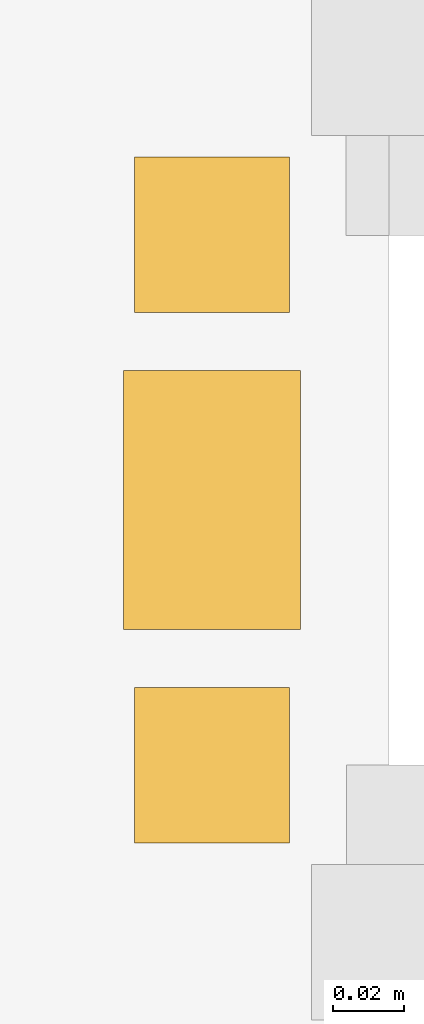
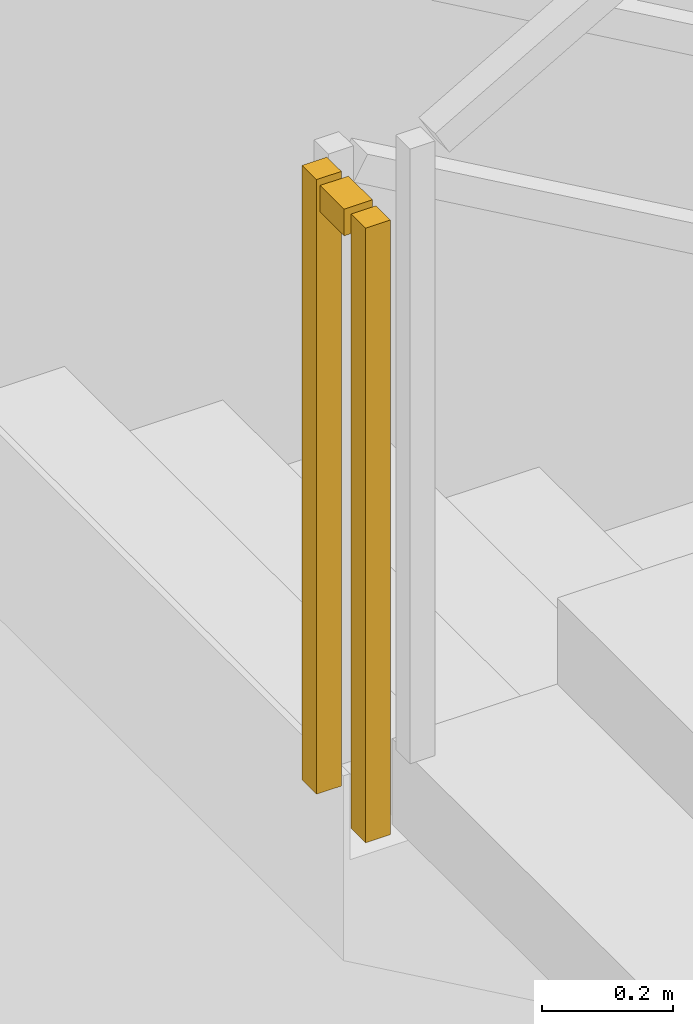
# One storey, part 10 of 18: 1 railing.
"""IFC4 building model written with IfcOpenShell, lengths in metres."""

from ifc_helpers import new_model, si_unit, direction, frame, origin, origin_2d, place, context, subcontext, project, spatial, rectangle, extrude, material, type_object, element, save


model = new_model("IFC4")

# Units and contexts
model_context = context("Model", 3, precision=1e-05, world=origin(), true_north=direction((0.0, 1.0)))
body_context = subcontext(model_context, "Body", "Model", "MODEL_VIEW")
ifc_project = project(units=[si_unit("LENGTHUNIT", "METRE"), si_unit("AREAUNIT", "SQUARE_METRE"), si_unit("VOLUMEUNIT", "CUBIC_METRE"), si_unit("PLANEANGLEUNIT", "RADIAN"), si_unit("MASSUNIT", "GRAM", prefix="KILO")], contexts=[model_context])

# Site, building, storey
site_placement = place(None, origin())
site = spatial("IfcSite", under=ifc_project, at=site_placement, CompositionType="ELEMENT")
building_placement = place(site_placement, origin())
building = spatial("IfcBuilding", under=site, at=building_placement, Name="Yunling Apex Tower", CompositionType="ELEMENT")
storey_placement = place(building_placement, origin())
storey = spatial("IfcBuildingStorey", under=building, at=storey_placement, Name="L01", CompositionType="ELEMENT", Elevation=0.0)

# Railing
ifc_material = material(Name="Steel Q355B", Category="steel")
railing_type = type_object("IfcRailingType", Name="RL-GRD-1150", PredefinedType="GUARDRAIL", material=ifc_material)
railing_placement = place(storey_placement, frame((-3.699951171875, -3.5, 2.25)))
element("IfcRailing", 1, at=railing_placement, inside=storey, type_object=railing_type, Name="L01 ST-2 stair guard 2", PredefinedType="GUARDRAIL", context=body_context, shape_type="SweptSolid", body=[
    extrude(rectangle(XDim=0.0439453125, YDim=0.0439453125, at=origin_2d()), origin(), (0.0, 0.0, 1.0), 1.14990234375),
    extrude(rectangle(XDim=0.0439453125, YDim=0.0439453125, at=origin_2d()), frame((0.0, -0.14990234375, 0.0)), (0.0, 0.0, 1.0), 1.14990234375),
    extrude(rectangle(XDim=0.050048828125, YDim=0.050048828125, at=origin_2d()), frame((0.0, -0.038330078125, 1.125), z_axis=(0.0, -1.0, 0.0), x_axis=(1.0, 0.0, 0.0)), (0.0, 0.0, 1.0), 0.0732421875),
])

save(model, "model.ifc")
